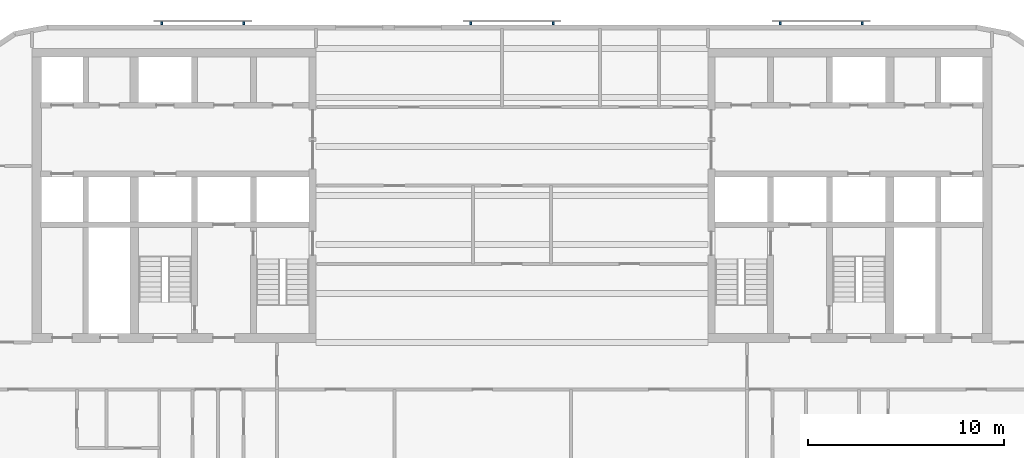
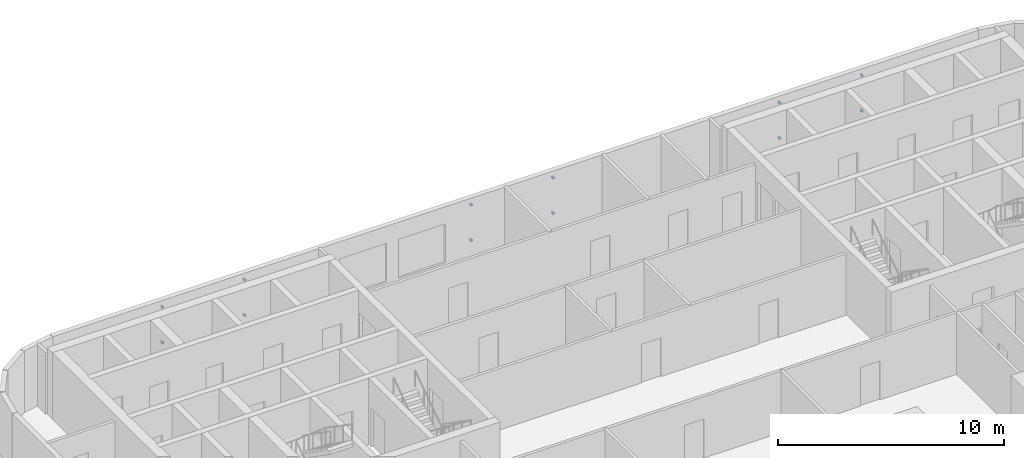
# One storey, part 8 of 11: 12 discrete accessories.
"""IFC4 building model written with IfcOpenShell, lengths in metres."""

from ifc_helpers import new_model, si_unit, direction, frame, origin, origin_2d, place, context, subcontext, project, spatial, rectangle, extrude, material, type_object, element, save


model = new_model("IFC4")

# Units and contexts
model_context = context("Model", 3, precision=1e-05, world=origin(), true_north=direction((0.0, 1.0)))
body_context = subcontext(model_context, "Body", "Model", "MODEL_VIEW")
ifc_project = project(units=[si_unit("LENGTHUNIT", "METRE"), si_unit("AREAUNIT", "SQUARE_METRE"), si_unit("VOLUMEUNIT", "CUBIC_METRE"), si_unit("PLANEANGLEUNIT", "RADIAN"), si_unit("MASSUNIT", "GRAM", prefix="KILO")], contexts=[model_context])

# Site, building, storey
site_placement = place(None, origin())
site = spatial("IfcSite", under=ifc_project, at=site_placement, CompositionType="ELEMENT")
building_placement = place(site_placement, origin())
building = spatial("IfcBuilding", under=site, at=building_placement, Name="Torana Hotel and Residences", CompositionType="ELEMENT")
storey_placement = place(building_placement, frame((0.0, 0.0, 141.60009765625)))
storey = spatial("IfcBuildingStorey", under=building, at=storey_placement, Name="L36", CompositionType="ELEMENT", Elevation=141.60009765625)

# Discrete accessories
ifc_material = material(Name="Steel S355", Category="steel")
discrete_accessory_type = type_object("IfcDiscreteAccessoryType", Name="SCREEN BRACKET 100", PredefinedType="BRACKET", material=ifc_material)
for number, where, z_axis, x_axis, name in (
    (1, (17.883544921875, 1.27490234375, 0.749755859375), (0.0, 0.0, 1.0), (-1.0, 0.0, 0.0), "Screen bracket L36"),
    (2, (17.883544921875, 1.27490234375, 2.669921875), (0.0, 0.0, 1.0), (-1.0, 0.0, 0.0), "Screen bracket L36"),
    (3, (13.68359375, 1.27490234375, 0.749755859375), (0.0, 0.0, 1.0), (-1.0, 0.0, 0.0), "Screen bracket L36"),
    (4, (13.68359375, 1.27490234375, 2.669921875), (0.0, 0.0, 1.0), (-1.0, 0.0, 0.0), "Screen bracket L36"),
    (5, (2.10009765625, 1.27490234375, 0.749755859375), (0.0, 0.0, 1.0), (-1.0, 0.0, 0.0), "Screen bracket L36"),
    (6, (2.10009765625, 1.27490234375, 2.669921875), (0.0, 0.0, 1.0), (-1.0, 0.0, 0.0), "Screen bracket L36"),
    (7, (-2.10009765625, 1.27490234375, 0.749755859375), (0.0, 0.0, 1.0), (-1.0, 0.0, 0.0), "Screen bracket L36"),
    (8, (-2.10009765625, 1.27490234375, 2.669921875), (0.0, 0.0, 1.0), (-1.0, 0.0, 0.0), "Screen bracket L36"),
    (9, (-13.68359375, 1.27490234375, 0.749755859375), (0.0, 0.0, 1.0), (-1.0, 0.0, 0.0), "Screen bracket L36"),
    (10, (-13.68359375, 1.27490234375, 2.669921875), (0.0, 0.0, 1.0), (-1.0, 0.0, 0.0), "Screen bracket L36"),
    (11, (-17.883544921875, 1.27490234375, 0.749755859375), (0.0, 0.0, 1.0), (-1.0, 0.0, 0.0), "Screen bracket L36"),
    (12, (-17.883544921875, 1.27490234375, 2.669921875), (0.0, 0.0, 1.0), (-1.0, 0.0, 0.0), "Screen bracket L36"),
):
    element("IfcDiscreteAccessory", number, at=place(storey_placement, frame(where, z_axis=z_axis, x_axis=x_axis)), inside=storey, type_object=discrete_accessory_type, Name=name, PredefinedType="BRACKET", context=body_context, shape_type="SweptSolid", body=[
        extrude(rectangle(XDim=0.10009765625, YDim=0.14990234375, at=origin_2d()), origin(), (0.0, 0.0, 1.0), 0.10009765625),
    ])

save(model, "model.ifc")
